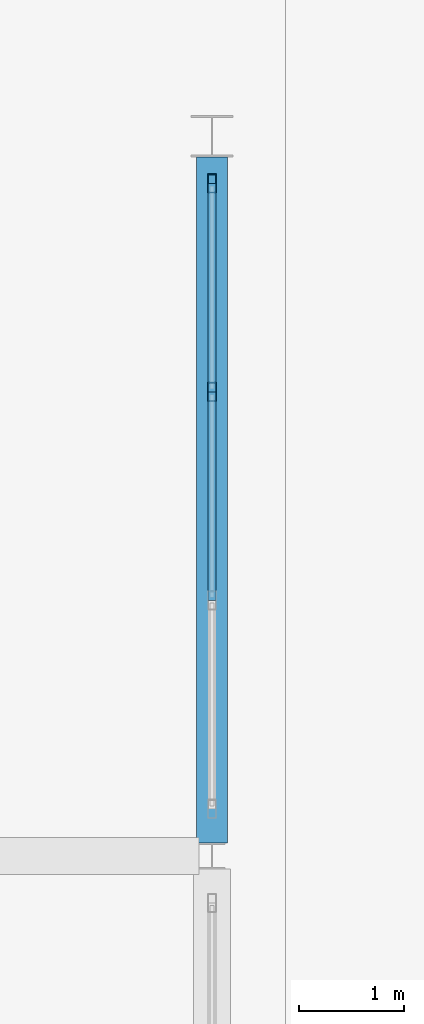
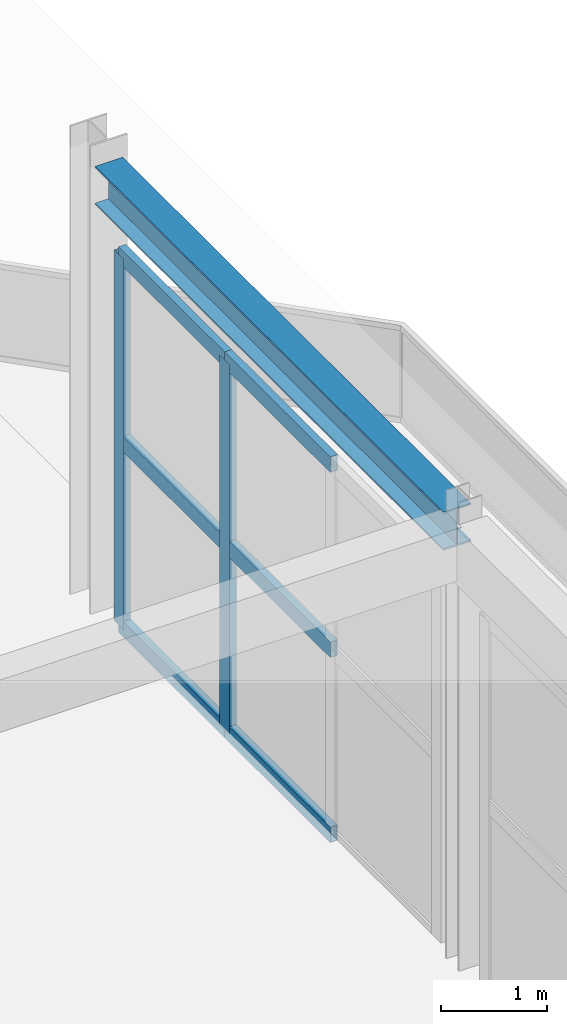
# One storey, part 54 of 117: 8 members, 1 beam, 1 element without a shape of its own.
"""IFC4 building model written with IfcOpenShell, lengths in metres."""

from ifc_helpers import new_model, si_unit, direction, frame, origin, origin_2d, place, context, subcontext, project, spatial, hollow_rectangle, i_section, extrude, material, material_profile, profile_set, type_object, element, aggregate, save


model = new_model("IFC4")

# Units and contexts
model_context = context("Model", 3, precision=1e-05, world=origin(), true_north=direction((0.0, 1.0)))
body_context = subcontext(model_context, "Body", "Model", "MODEL_VIEW")
ifc_project = project(units=[si_unit("LENGTHUNIT", "METRE"), si_unit("AREAUNIT", "SQUARE_METRE"), si_unit("VOLUMEUNIT", "CUBIC_METRE"), si_unit("PLANEANGLEUNIT", "RADIAN"), si_unit("MASSUNIT", "GRAM", prefix="KILO")], contexts=[model_context])

# Site, building, storey
site_placement = place(None, origin())
site = spatial("IfcSite", under=ifc_project, at=site_placement, CompositionType="ELEMENT")
building_placement = place(site_placement, origin())
building = spatial("IfcBuilding", under=site, at=building_placement, Name="Linyun Crest Stadium", CompositionType="ELEMENT")
storey_placement = place(building_placement, frame((0.0, 0.0, 6.0)))
storey = spatial("IfcBuildingStorey", under=building, at=storey_placement, Name="L02", CompositionType="ELEMENT", Elevation=6.0)

# Beam
ifc_material_1 = material(Name="Steel Q355C", Category="steel")
ifc_material_profile_1 = material_profile(ifc_material_1, i_section(OverallWidth=0.300048828125, OverallDepth=0.43994140625, WebThickness=0.010986328125, FlangeThickness=0.01806640625, at=origin_2d()), Name="HM 440x300")
ifc_profile_set_1 = profile_set([ifc_material_profile_1], Name="Steel Q355C")
beam_type = type_object("IfcBeamType", Name="B07", PredefinedType="BEAM", material=ifc_profile_set_1)
beam_placement = place(storey_placement, frame((94.0, -73.375, 4.929931640625), z_axis=(0.0, 1.0, 0.0), x_axis=(-1.0, 0.0, 0.0)))
element("IfcBeam", 1, at=beam_placement, inside=storey, type_object=beam_type, Name="Frame beam B07 L02 1121", PredefinedType="BEAM", context=body_context, shape_type="SweptSolid", body=[
    extrude(i_section(OverallWidth=0.300048828125, OverallDepth=0.43994140625, WebThickness=0.010986328125, FlangeThickness=0.01806640625, at=origin_2d()), origin(), (0.0, 0.0, 1.0), 6.550048828125),
])

# Curtain wall, members
ifc_material_2 = material(Name="Verdigris steel and low-E curtain wall assembly", Category="steel")
curtain_wall_type = type_object("IfcCurtainWallType", Name="MCW05", PredefinedType="NOTDEFINED", material=ifc_material_2)
curtain_wall_placement = place(storey_placement, origin())
curtain_wall = element("IfcCurtainWall", 2, at=curtain_wall_placement, inside=storey, type_object=curtain_wall_type, Name="CWR-166", PredefinedType="NOTDEFINED")
ifc_material_3 = material(Name="Verdigris painted steel Q355B mullion", Category="steel")
ifc_material_profile_2 = material_profile(ifc_material_3, hollow_rectangle(XDim=0.080078125, YDim=0.179931640625, WallThickness=0.006103515625, at=origin_2d()), Name="RHS 180x80x6")
ifc_profile_set_2 = profile_set([ifc_material_profile_2], Name="Verdigris painted steel Q355B mullion")
member_type_1 = type_object("IfcMemberType", Name="ML02", PredefinedType="MULLION", material=ifc_profile_set_2)
member_1_placement = place(storey_placement, frame((94.0, -69.06689453125, 0.0), z_axis=(0.0, 0.0, 1.0), x_axis=(-1.0, 0.0, 0.0)))
member_1 = element("IfcMember", 3, at=member_1_placement, type_object=member_type_1, Name="CWR-166 mullion 3", PredefinedType="MULLION", context=body_context, shape_type="SweptSolid", body=[
    extrude(hollow_rectangle(XDim=0.080078125, YDim=0.179931640625, WallThickness=0.006103515625, at=origin_2d()), origin(), (0.0, 0.0, 1.0), 4.25),
])
member_2_placement = place(storey_placement, frame((94.0, -67.074951171875, 0.0), z_axis=(0.0, 0.0, 1.0), x_axis=(-1.0, 0.0, 0.0)))
member_2 = element("IfcMember", 4, at=member_2_placement, type_object=member_type_1, Name="CWR-166 mullion 4", PredefinedType="MULLION", context=body_context, shape_type="SweptSolid", body=[
    extrude(hollow_rectangle(XDim=0.080078125, YDim=0.179931640625, WallThickness=0.006103515625, at=origin_2d()), origin(), (0.0, 0.0, 1.0), 4.25),
])
ifc_material_4 = material(Name="Verdigris painted steel Q355B transom", Category="steel")
ifc_material_profile_3 = material_profile(ifc_material_4, hollow_rectangle(XDim=0.080078125, YDim=0.179931640625, WallThickness=0.006103515625, at=origin_2d()), Name="RHS 180x80x6")
ifc_profile_set_3 = profile_set([ifc_material_profile_3], Name="Verdigris painted steel Q355B transom")
member_type_2 = type_object("IfcMemberType", Name="TR02", PredefinedType="USERDEFINED", material=ifc_profile_set_3)
member_3_placement = place(storey_placement, frame((94.0, -71.05810546875, 0.0), z_axis=(0.0, 1.0, 0.0), x_axis=(-1.0, 0.0, 0.0)))
member_3 = element("IfcMember", 5, at=member_3_placement, type_object=member_type_2, Name="CWR-166 transom 2.1", ObjectType="TRANSOM", PredefinedType="USERDEFINED", context=body_context, shape_type="SweptSolid", body=[
    extrude(hollow_rectangle(XDim=0.080078125, YDim=0.179931640625, WallThickness=0.006103515625, at=origin_2d()), origin(), (0.0, 0.0, 1.0), 1.9912109375),
])
member_4_placement = place(storey_placement, frame((94.0, -71.05810546875, 2.125), z_axis=(0.0, 1.0, 0.0), x_axis=(-1.0, 0.0, 0.0)))
member_4 = element("IfcMember", 6, at=member_4_placement, type_object=member_type_2, Name="CWR-166 transom 2.2", ObjectType="TRANSOM", PredefinedType="USERDEFINED", context=body_context, shape_type="SweptSolid", body=[
    extrude(hollow_rectangle(XDim=0.080078125, YDim=0.179931640625, WallThickness=0.006103515625, at=origin_2d()), origin(), (0.0, 0.0, 1.0), 1.9912109375),
])
member_5_placement = place(storey_placement, frame((94.0, -71.05810546875, 4.25), z_axis=(0.0, 1.0, 0.0), x_axis=(-1.0, 0.0, 0.0)))
member_5 = element("IfcMember", 7, at=member_5_placement, type_object=member_type_2, Name="CWR-166 transom 2.3", ObjectType="TRANSOM", PredefinedType="USERDEFINED", context=body_context, shape_type="SweptSolid", body=[
    extrude(hollow_rectangle(XDim=0.080078125, YDim=0.179931640625, WallThickness=0.006103515625, at=origin_2d()), origin(), (0.0, 0.0, 1.0), 1.9912109375),
])
member_6_placement = place(storey_placement, frame((94.0, -69.06689453125, 0.0), z_axis=(0.0, 1.0, 0.0), x_axis=(-1.0, 0.0, 0.0)))
member_6 = element("IfcMember", 8, at=member_6_placement, type_object=member_type_2, Name="CWR-166 transom 3.1", ObjectType="TRANSOM", PredefinedType="USERDEFINED", context=body_context, shape_type="SweptSolid", body=[
    extrude(hollow_rectangle(XDim=0.080078125, YDim=0.179931640625, WallThickness=0.006103515625, at=origin_2d()), origin(), (0.0, 0.0, 1.0), 1.991943359375),
])
member_7_placement = place(storey_placement, frame((94.0, -69.06689453125, 2.125), z_axis=(0.0, 1.0, 0.0), x_axis=(-1.0, 0.0, 0.0)))
member_7 = element("IfcMember", 9, at=member_7_placement, type_object=member_type_2, Name="CWR-166 transom 3.2", ObjectType="TRANSOM", PredefinedType="USERDEFINED", context=body_context, shape_type="SweptSolid", body=[
    extrude(hollow_rectangle(XDim=0.080078125, YDim=0.179931640625, WallThickness=0.006103515625, at=origin_2d()), origin(), (0.0, 0.0, 1.0), 1.991943359375),
])
member_8_placement = place(storey_placement, frame((94.0, -69.06689453125, 4.25), z_axis=(0.0, 1.0, 0.0), x_axis=(-1.0, 0.0, 0.0)))
member_8 = element("IfcMember", 10, at=member_8_placement, type_object=member_type_2, Name="CWR-166 transom 3.3", ObjectType="TRANSOM", PredefinedType="USERDEFINED", context=body_context, shape_type="SweptSolid", body=[
    extrude(hollow_rectangle(XDim=0.080078125, YDim=0.179931640625, WallThickness=0.006103515625, at=origin_2d()), origin(), (0.0, 0.0, 1.0), 1.991943359375),
])
aggregate(curtain_wall, [member_1, member_2, member_3, member_4, member_5, member_6, member_7, member_8])

save(model, "model.ifc")
